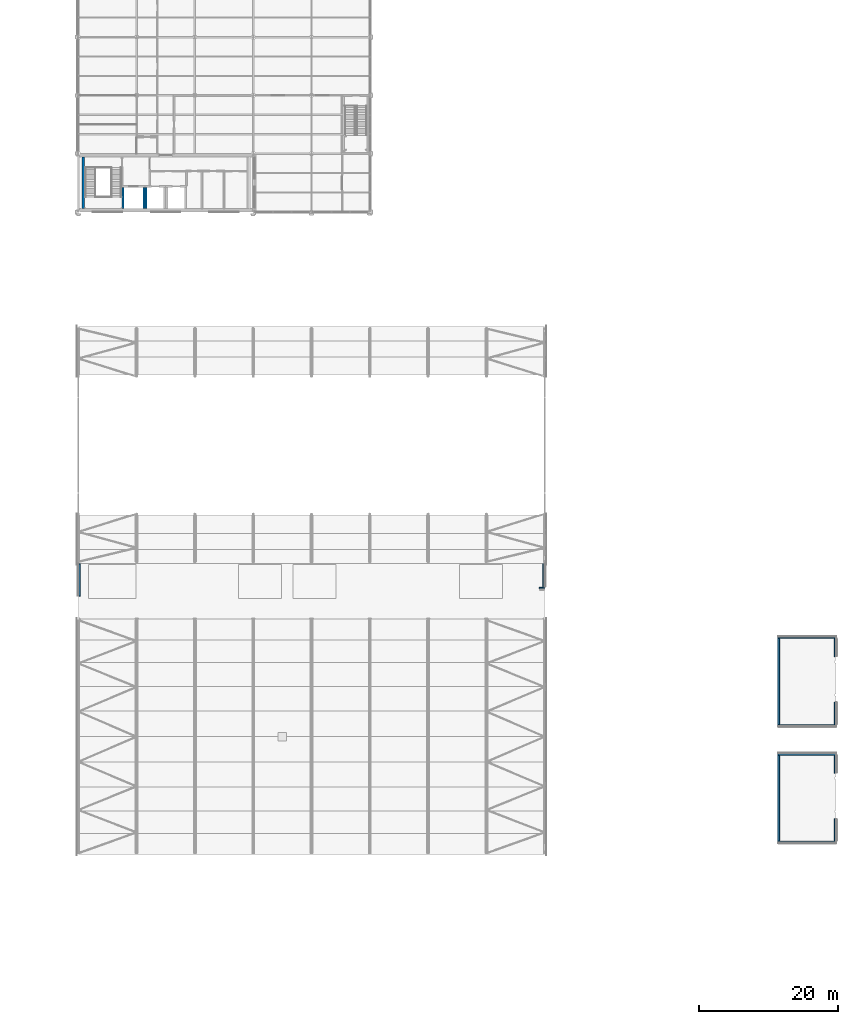
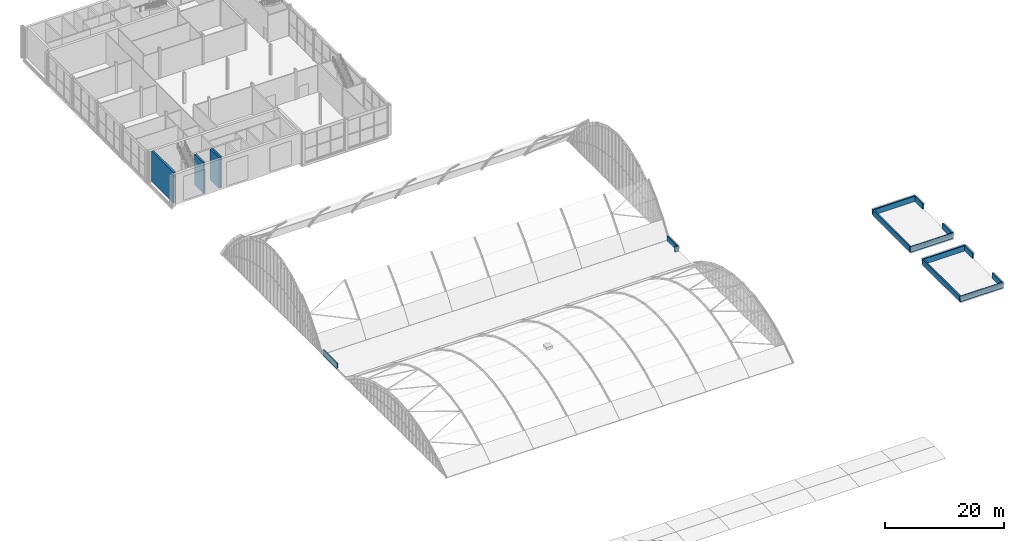
# One storey, part 65 of 77: 17 walls.
"""IFC4 building model written with IfcOpenShell, lengths in metres."""

from ifc_helpers import new_model, si_unit, direction, frame, frame_2d, origin, place, context, subcontext, project, spatial, rectangle, extrude, material, layer, layer_set, type_object, element, save


model = new_model("IFC4")

# Units and contexts
model_context = context("Model", 3, precision=1e-05, world=origin(), true_north=direction((0.0, 1.0)))
body_context = subcontext(model_context, "Body", "Model", "MODEL_VIEW")
ifc_project = project(units=[si_unit("LENGTHUNIT", "METRE"), si_unit("AREAUNIT", "SQUARE_METRE"), si_unit("VOLUMEUNIT", "CUBIC_METRE"), si_unit("PLANEANGLEUNIT", "RADIAN"), si_unit("MASSUNIT", "GRAM", prefix="KILO")], contexts=[model_context])

# Site, building, storey
site_placement = place(None, origin())
site = spatial("IfcSite", under=ifc_project, at=site_placement, CompositionType="ELEMENT")
building_placement = place(site_placement, origin())
building = spatial("IfcBuilding", under=site, at=building_placement, Name="Catenary Quay Ferry Terminal", CompositionType="ELEMENT")
storey_placement = place(building_placement, frame((0.0, 0.0, 10.800048828125)))
storey = spatial("IfcBuildingStorey", under=building, at=storey_placement, Name="L02", CompositionType="ELEMENT", Elevation=10.800048828125)

# Walls
ifc_material_1 = material(Name="Concrete C50/60", Category="concrete")
ifc_layer_1 = layer(ifc_material_1, 0.39990234375)
ifc_layer_set_1 = layer_set([ifc_layer_1], Name="Core wall 400")
wall_type_1 = type_object("IfcWallType", Name="Core wall 400", PredefinedType="SHEAR", material=ifc_layer_set_1)
wall_1_placement = place(storey_placement, frame((25.89990234375, 160.10009765625, 0.0), z_axis=(0.0, 0.0, 1.0), x_axis=(0.0, 1.0, 0.0)))
element("IfcWall", 1, at=wall_1_placement, inside=storey, type_object=wall_type_1, Name="Core wall S3", PredefinedType="SHEAR", context=body_context, shape_type="SweptSolid", body=[
    extrude(rectangle(XDim=7.39990234375, YDim=0.39990234375, at=frame_2d((3.699951171875, 0.0))), origin(), (0.0, 0.0, 1.0), 6.300048828125),
])
ifc_material_2 = material(Name="Masonry and insulation", Category="masonry")
ifc_layer_2 = layer(ifc_material_2, 0.25)
ifc_layer_set_2 = layer_set([ifc_layer_2], Name="EW5")
wall_type_2 = type_object("IfcWallType", Name="EW5", PredefinedType="PARAPET", material=ifc_layer_set_2)
for number, where, z_axis, x_axis, name in (
    (2, (126.0, 68.824951171875, 0.0), (0.0, 0.0, 1.0), (1.0, 0.0, 0.0), "Parapet wall WL203"),
    (3, (126.0, 81.47509765625, 0.0), (0.0, 0.0, 1.0), (1.0, 0.0, 0.0), "Parapet wall WL204"),
    (4, (126.0, 85.625, 0.0), (0.0, 0.0, 1.0), (1.0, 0.0, 0.0), "Parapet wall WL205"),
    (5, (126.0, 98.27490234375, 0.0), (0.0, 0.0, 1.0), (1.0, 0.0, 0.0), "Parapet wall WL206"),
):
    element("IfcWall", number, at=place(storey_placement, frame(where, z_axis=z_axis, x_axis=x_axis)), inside=storey, type_object=wall_type_2, Name=name, PredefinedType="PARAPET", context=body_context, shape_type="SweptSolid", body=[
        extrude(rectangle(XDim=8.39990234375, YDim=0.25, at=frame_2d((4.199951171875, 0.0))), origin(), (0.0, 0.0, 1.0), 1.099853515625),
    ])
wall_2_placement = place(storey_placement, frame((91.64990234375, 105.425048828125, 0.0), z_axis=(0.0, 0.0, 1.0), x_axis=(1.0, 0.0, 0.0)))
element("IfcWall", 6, at=wall_2_placement, inside=storey, type_object=wall_type_2, Name="Parapet wall WL207", PredefinedType="PARAPET", context=body_context, shape_type="SweptSolid", body=[
    extrude(rectangle(XDim=0.75, YDim=0.25, at=frame_2d((0.375, 0.0))), origin(), (0.0, 0.0, 1.0), 1.099853515625),
])
wall_3_placement = place(storey_placement, frame((134.27490234375, 78.75, 0.0), z_axis=(0.0, 0.0, 1.0), x_axis=(0.0, 1.0, 0.0)))
element("IfcWall", 7, at=wall_3_placement, inside=storey, type_object=wall_type_2, Name="Parapet wall WL208", PredefinedType="PARAPET", context=body_context, shape_type="SweptSolid", body=[
    extrude(rectangle(XDim=2.60009765625, YDim=0.25, at=frame_2d((1.300048828125, 0.0))), origin(), (0.0, 0.0, 1.0), 1.099853515625),
])
wall_4_placement = place(storey_placement, frame((134.27490234375, 68.949951171875, 0.0), z_axis=(0.0, 0.0, 1.0), x_axis=(0.0, 1.0, 0.0)))
element("IfcWall", 8, at=wall_4_placement, inside=storey, type_object=wall_type_2, Name="Parapet wall WL209", PredefinedType="PARAPET", context=body_context, shape_type="SweptSolid", body=[
    extrude(rectangle(XDim=3.199951171875, YDim=0.25, at=frame_2d((1.60009765625, 0.0))), origin(), (0.0, 0.0, 1.0), 1.099853515625),
])
wall_5_placement = place(storey_placement, frame((126.125, 68.949951171875, 0.0), z_axis=(0.0, 0.0, 1.0), x_axis=(0.0, 1.0, 0.0)))
element("IfcWall", 9, at=wall_5_placement, inside=storey, type_object=wall_type_2, Name="Parapet wall WL210", PredefinedType="PARAPET", context=body_context, shape_type="SweptSolid", body=[
    extrude(rectangle(XDim=12.400146484375, YDim=0.25, at=frame_2d((6.2001953125, 0.0))), origin(), (0.0, 0.0, 1.0), 1.099853515625),
])
wall_6_placement = place(storey_placement, frame((134.27490234375, 95.550048828125, 0.0), z_axis=(0.0, 0.0, 1.0), x_axis=(0.0, 1.0, 0.0)))
element("IfcWall", 10, at=wall_6_placement, inside=storey, type_object=wall_type_2, Name="Parapet wall WL211", PredefinedType="PARAPET", context=body_context, shape_type="SweptSolid", body=[
    extrude(rectangle(XDim=2.599853515625, YDim=0.25, at=frame_2d((1.2998046875, 0.0))), origin(), (0.0, 0.0, 1.0), 1.099853515625),
])
wall_7_placement = place(storey_placement, frame((134.27490234375, 85.75, 0.0), z_axis=(0.0, 0.0, 1.0), x_axis=(0.0, 1.0, 0.0)))
element("IfcWall", 11, at=wall_7_placement, inside=storey, type_object=wall_type_2, Name="Parapet wall WL212", PredefinedType="PARAPET", context=body_context, shape_type="SweptSolid", body=[
    extrude(rectangle(XDim=3.199951171875, YDim=0.25, at=frame_2d((1.60009765625, 0.0))), origin(), (0.0, 0.0, 1.0), 1.099853515625),
])
wall_8_placement = place(storey_placement, frame((126.125, 85.75, 0.0), z_axis=(0.0, 0.0, 1.0), x_axis=(0.0, 1.0, 0.0)))
element("IfcWall", 12, at=wall_8_placement, inside=storey, type_object=wall_type_2, Name="Parapet wall WL213", PredefinedType="PARAPET", context=body_context, shape_type="SweptSolid", body=[
    extrude(rectangle(XDim=12.39990234375, YDim=0.25, at=frame_2d((6.199951171875, 0.0))), origin(), (0.0, 0.0, 1.0), 1.099853515625),
])
wall_9_placement = place(storey_placement, frame((25.324951171875, 104.25, 0.0), z_axis=(0.0, 0.0, 1.0), x_axis=(0.0, 1.0, 0.0)))
element("IfcWall", 13, at=wall_9_placement, inside=storey, type_object=wall_type_2, Name="Parapet wall WL214", PredefinedType="PARAPET", context=body_context, shape_type="SweptSolid", body=[
    extrude(rectangle(XDim=4.64990234375, YDim=0.25, at=frame_2d((2.324951171875, 0.0))), origin(), (0.0, 0.0, 1.0), 1.099853515625),
])
wall_10_placement = place(storey_placement, frame((92.27490234375, 105.550048828125, 0.0), z_axis=(0.0, 0.0, 1.0), x_axis=(0.0, 1.0, 0.0)))
element("IfcWall", 14, at=wall_10_placement, inside=storey, type_object=wall_type_2, Name="Parapet wall WL215", PredefinedType="PARAPET", context=body_context, shape_type="SweptSolid", body=[
    extrude(rectangle(XDim=3.349853515625, YDim=0.25, at=frame_2d((1.6748046875, 0.0))), origin(), (0.0, 0.0, 1.0), 1.099853515625),
])
ifc_material_3 = material(Name="Concrete C50/60", Category="concrete")
ifc_layer_3 = layer(ifc_material_3, 0.300048828125)
ifc_layer_set_3 = layer_set([ifc_layer_3], Name="Shaft wall 300")
wall_type_3 = type_object("IfcWallType", Name="Shaft wall 300", PredefinedType="SHEAR", material=ifc_layer_set_3)
for number, where, z_axis, x_axis, name in (
    (15, (34.64990234375, 160.10009765625, 0.0), (0.0, 0.0, 1.0), (0.0, 1.0, 0.0), "Shaft wall FL1 E"),
    (16, (31.64990234375, 160.10009765625, 0.0), (0.0, 0.0, 1.0), (0.0, 1.0, 0.0), "Shaft wall FL1 W"),
    (17, (34.949951171875, 160.10009765625, 0.0), (0.0, 0.0, 1.0), (0.0, 1.0, 0.0), "Shaft wall GL1 W"),
):
    element("IfcWall", number, at=place(storey_placement, frame(where, z_axis=z_axis, x_axis=x_axis)), inside=storey, type_object=wall_type_3, Name=name, PredefinedType="SHEAR", context=body_context, shape_type="SweptSolid", body=[
        extrude(rectangle(XDim=3.0, YDim=0.300048828125, at=frame_2d((1.5, 0.0))), origin(), (0.0, 0.0, 1.0), 6.300048828125),
    ])

save(model, "model.ifc")
